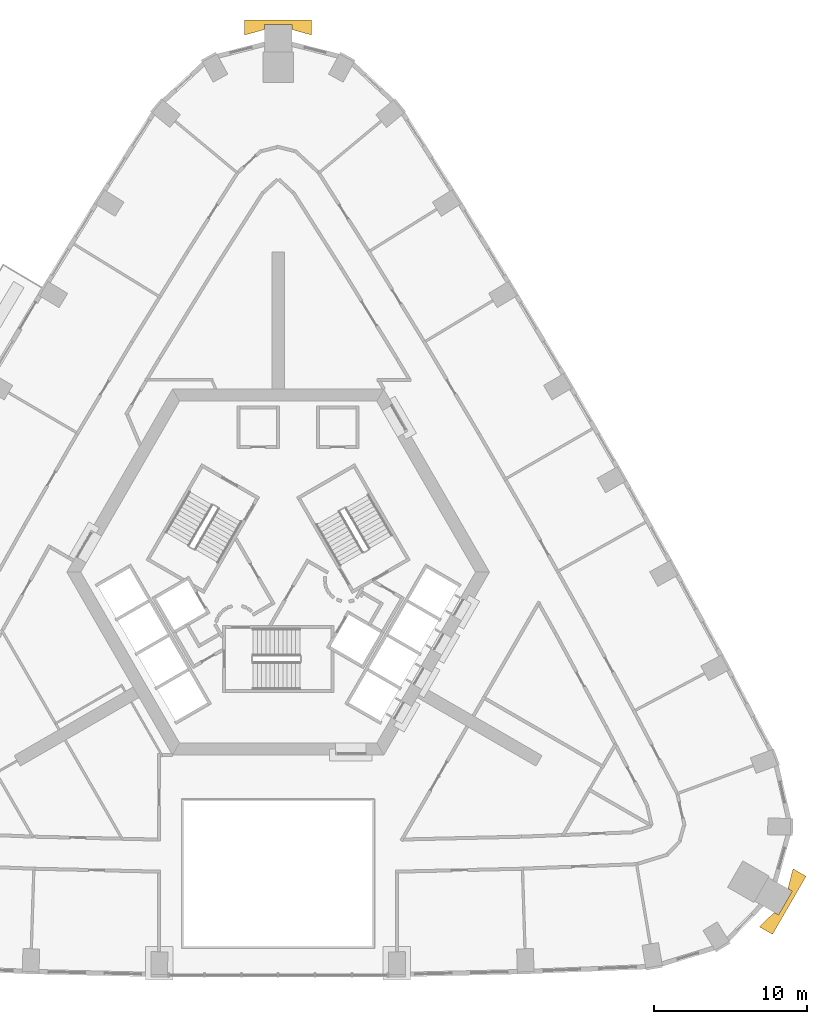
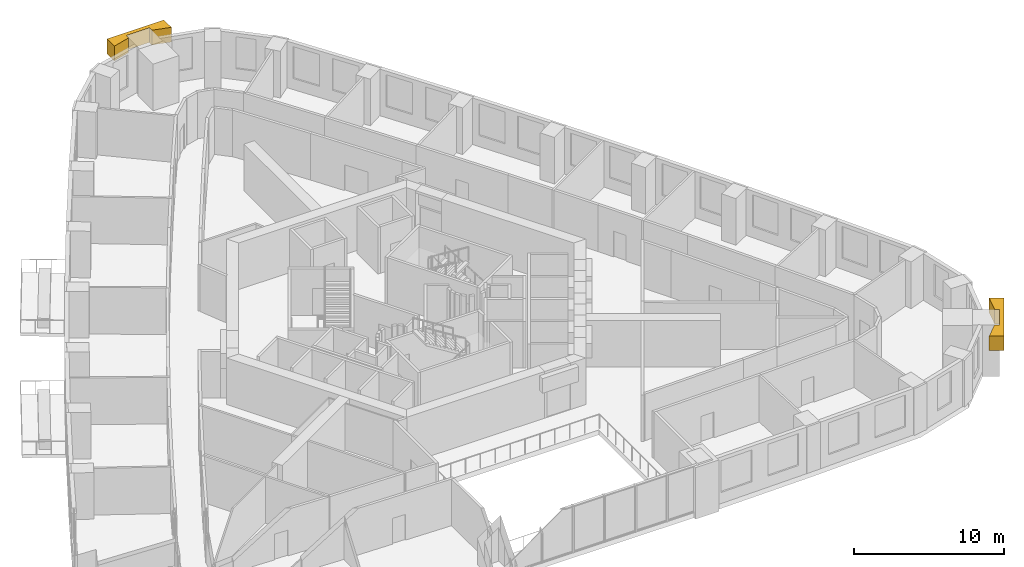
# One storey, part 14 of 14: 2 coverings.
"""IFC4 building model written with IfcOpenShell, lengths in metres."""

from ifc_helpers import new_model, si_unit, direction, frame, origin, place, context, subcontext, project, spatial, polyline, outline, extrude, material, type_object, element, save


model = new_model("IFC4")

# Units and contexts
model_context = context("Model", 3, precision=1e-05, world=origin(), true_north=direction((0.0, 1.0)))
body_context = subcontext(model_context, "Body", "Model", "MODEL_VIEW")
ifc_project = project(units=[si_unit("LENGTHUNIT", "METRE"), si_unit("AREAUNIT", "SQUARE_METRE"), si_unit("VOLUMEUNIT", "CUBIC_METRE"), si_unit("PLANEANGLEUNIT", "RADIAN"), si_unit("MASSUNIT", "GRAM", prefix="KILO")], contexts=[model_context])

# Site, building, storey
site_placement = place(None, origin())
site = spatial("IfcSite", under=ifc_project, at=site_placement, CompositionType="ELEMENT")
building_placement = place(site_placement, origin())
building = spatial("IfcBuilding", under=site, at=building_placement, Name="Entoto Arch Interchange Tower", CompositionType="ELEMENT")
storey_placement = place(building_placement, frame((0.0, 0.0, 146.60009765625)))
storey = spatial("IfcBuildingStorey", under=building, at=storey_placement, Name="L32", CompositionType="ELEMENT", Elevation=146.60009765625)

# Coverings
ifc_material = material(Name="Board-marked precast concrete C50/60", Category="concrete")
covering_type = type_object("IfcCoveringType", Name="PRECAST FRAME COURSE", PredefinedType="CLADDING", material=ifc_material)
covering_1_placement = place(storey_placement, frame((0.0, 0.0, 2.599853515625)))
element("IfcCovering", 1, at=covering_1_placement, inside=storey, type_object=covering_type, Name="Corner pilaster head SE L30-L32", PredefinedType="CLADDING", context=body_context, shape_type="SweptSolid", body=[
    extrude(outline(polyline([(34.60888671875, -17.44091796875), (32.408935546875, -21.2509765625), (31.554931640625, -20.758056640625), (32.514892578125, -19.81103515625), (32.799072265625, -19.97509765625), (33.698974609375, -18.4169921875), (33.4150390625, -18.2529296875), (33.7548828125, -16.947998046875), (34.60888671875, -17.44091796875)])), origin(), (0.0, 0.0, 1.0), 1.199951171875),
])
covering_2_placement = place(storey_placement, frame((0.0, 0.0, 2.599853515625)))
element("IfcCovering", 2, at=covering_2_placement, inside=storey, type_object=covering_type, Name="Corner pilaster head N L30-L32", PredefinedType="CLADDING", context=body_context, shape_type="SweptSolid", body=[
    extrude(outline(polyline([(-2.199951171875, 38.693115234375), (2.199951171875, 38.693115234375), (2.199951171875, 37.7060546875), (0.89990234375, 38.06396484375), (0.89990234375, 38.39306640625), (-0.89990234375, 38.39306640625), (-0.89990234375, 38.06396484375), (-2.199951171875, 37.7060546875), (-2.199951171875, 38.693115234375)])), origin(), (0.0, 0.0, 1.0), 1.199951171875),
])

save(model, "model.ifc")
